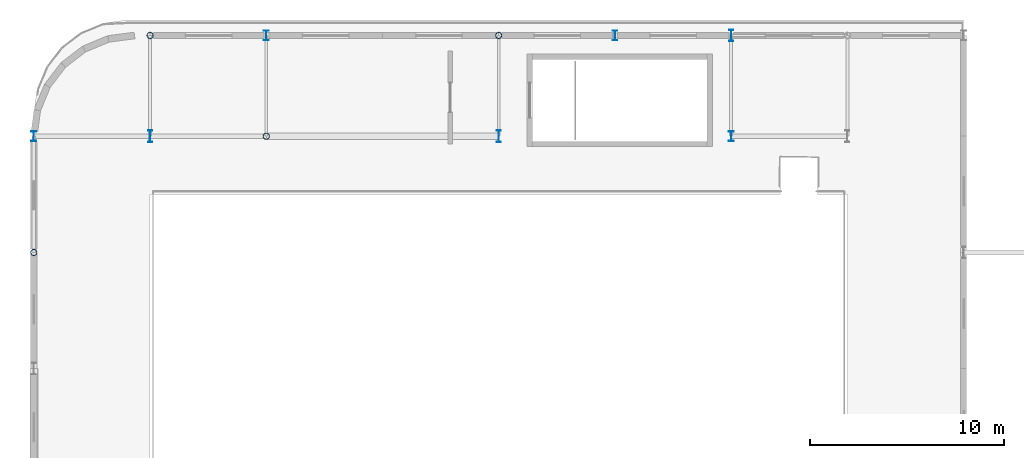
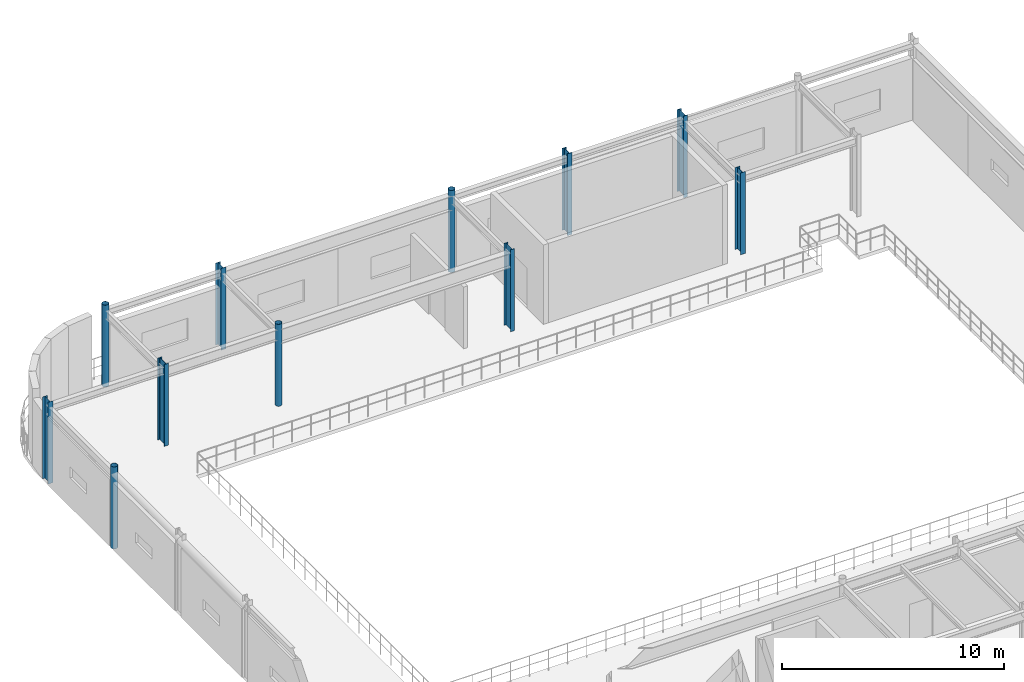
# One storey, part 11 of 84: 11 columns.
"""IFC4 building model written with IfcOpenShell, lengths in metres."""

from ifc_helpers import new_model, si_unit, direction, frame, origin, origin_2d, place, context, subcontext, project, spatial, hollow_circle, i_section, extrude, material, material_profile, profile_set, type_object, element, save


model = new_model("IFC4")

# Units and contexts
model_context = context("Model", 3, precision=1e-05, world=origin(), true_north=direction((0.0, 1.0)))
body_context = subcontext(model_context, "Body", "Model", "MODEL_VIEW")
ifc_project = project(units=[si_unit("LENGTHUNIT", "METRE"), si_unit("AREAUNIT", "SQUARE_METRE"), si_unit("VOLUMEUNIT", "CUBIC_METRE"), si_unit("PLANEANGLEUNIT", "RADIAN"), si_unit("MASSUNIT", "GRAM", prefix="KILO")], contexts=[model_context])

# Site, building, storey
site_placement = place(None, origin())
site = spatial("IfcSite", under=ifc_project, at=site_placement, CompositionType="ELEMENT")
building_placement = place(site_placement, origin())
building = spatial("IfcBuilding", under=site, at=building_placement, Name="Varnakota Square Police Headquarters", CompositionType="ELEMENT")
storey_placement = place(building_placement, frame((0.0, 0.0, 13.5)))
storey = spatial("IfcBuildingStorey", under=building, at=storey_placement, Name="L03", CompositionType="ELEMENT", Elevation=13.5)

# Columns
ifc_material = material(Name="Steel IS 2062 Grade 350", Category="steel")
ifc_material_profile_1 = material_profile(ifc_material, hollow_circle(Radius=0.161865234375, WallThickness=0.0126953125, at=origin_2d()), Name="CHS 323.9x12.7")
ifc_profile_set_1 = profile_set([ifc_material_profile_1], Name="Steel IS 2062 Grade 350")
column_type_1 = type_object("IfcColumnType", Name="COL-CHS324", PredefinedType="COLUMN", material=ifc_profile_set_1)
for number, where, z_axis, x_axis, name in (
    (1, (6.0, 99.0, 0.0), (0.0, 0.0, 1.0), (1.0, 0.0, 0.0), "Column X0060-Y0990 L03"),
    (2, (12.0, 110.199951171875, 0.0), (0.0, 0.0, 1.0), (1.0, 0.0, 0.0), "Column X0120-Y1102 L03"),
    (3, (18.0, 105.0, 0.0), (0.0, 0.0, 1.0), (1.0, 0.0, 0.0), "Column X0180-Y1050 L03"),
    (4, (30.0, 110.199951171875, 0.0), (0.0, 0.0, 1.0), (1.0, 0.0, 0.0), "Column X0300-Y1102 L03"),
):
    element("IfcColumn", number, at=place(storey_placement, frame(where, z_axis=z_axis, x_axis=x_axis)), inside=storey, type_object=column_type_1, Name=name, PredefinedType="COLUMN", context=body_context, shape_type="SweptSolid", body=[
        extrude(hollow_circle(Radius=0.161865234375, WallThickness=0.0126953125, at=origin_2d()), origin(), (0.0, 0.0, 1.0), 4.5),
    ])
ifc_material_profile_2 = material_profile(ifc_material, i_section(OverallWidth=0.2099609375, OverallDepth=0.60009765625, WebThickness=0.011962890625, FlangeThickness=0.020751953125, FilletRadius=0.02001953125, at=origin_2d()), Name="ISMB 600")
ifc_profile_set_2 = profile_set([ifc_material_profile_2], Name="Steel IS 2062 Grade 350")
column_type_2 = type_object("IfcColumnType", Name="COL-ISMB600", PredefinedType="COLUMN", material=ifc_profile_set_2)
for number, where, z_axis, x_axis, name in (
    (5, (12.0, 105.0, 0.0), (0.0, 0.0, 1.0), (1.0, 0.0, 0.0), "Column X0120-Y1050 L03"),
    (6, (30.0, 105.0, 0.0), (0.0, 0.0, 1.0), (1.0, 0.0, 0.0), "Column X0300-Y1050 L03"),
    (7, (42.0, 110.199951171875, 0.0), (0.0, 0.0, 1.0), (1.0, 0.0, 0.0), "Column X0420-Y1102 L03"),
):
    element("IfcColumn", number, at=place(storey_placement, frame(where, z_axis=z_axis, x_axis=x_axis)), inside=storey, type_object=column_type_2, Name=name, PredefinedType="COLUMN", context=body_context, shape_type="SweptSolid", body=[
        extrude(i_section(OverallWidth=0.2099609375, OverallDepth=0.60009765625, WebThickness=0.011962890625, FlangeThickness=0.020751953125, FilletRadius=0.02001953125, at=origin_2d()), origin(), (0.0, 0.0, 1.0), 4.5),
    ])
ifc_material_profile_3 = material_profile(ifc_material, i_section(OverallWidth=0.25, OverallDepth=0.5, WebThickness=0.010009765625, FlangeThickness=0.0146484375, FilletRadius=0.014892578125, at=origin_2d()), Name="ISWB 500")
ifc_profile_set_3 = profile_set([ifc_material_profile_3], Name="Steel IS 2062 Grade 350")
column_type_3 = type_object("IfcColumnType", Name="COL-ISWB500", PredefinedType="COLUMN", material=ifc_profile_set_3)
for number, where, z_axis, x_axis, name in (
    (8, (6.0, 105.0, 0.0), (0.0, 0.0, 1.0), (1.0, 0.0, 0.0), "Column X0060-Y1050 L03"),
    (9, (18.0, 110.199951171875, 0.0), (0.0, 0.0, 1.0), (1.0, 0.0, 0.0), "Column X0180-Y1102 L03"),
    (10, (36.0, 110.199951171875, 0.0), (0.0, 0.0, 1.0), (1.0, 0.0, 0.0), "Column X0360-Y1102 L03"),
    (11, (42.0, 105.0, 0.0), (0.0, 0.0, 1.0), (1.0, 0.0, 0.0), "Column X0420-Y1050 L03"),
):
    element("IfcColumn", number, at=place(storey_placement, frame(where, z_axis=z_axis, x_axis=x_axis)), inside=storey, type_object=column_type_3, Name=name, PredefinedType="COLUMN", context=body_context, shape_type="SweptSolid", body=[
        extrude(i_section(OverallWidth=0.25, OverallDepth=0.5, WebThickness=0.010009765625, FlangeThickness=0.0146484375, FilletRadius=0.014892578125, at=origin_2d()), origin(), (0.0, 0.0, 1.0), 4.5),
    ])

save(model, "model.ifc")
